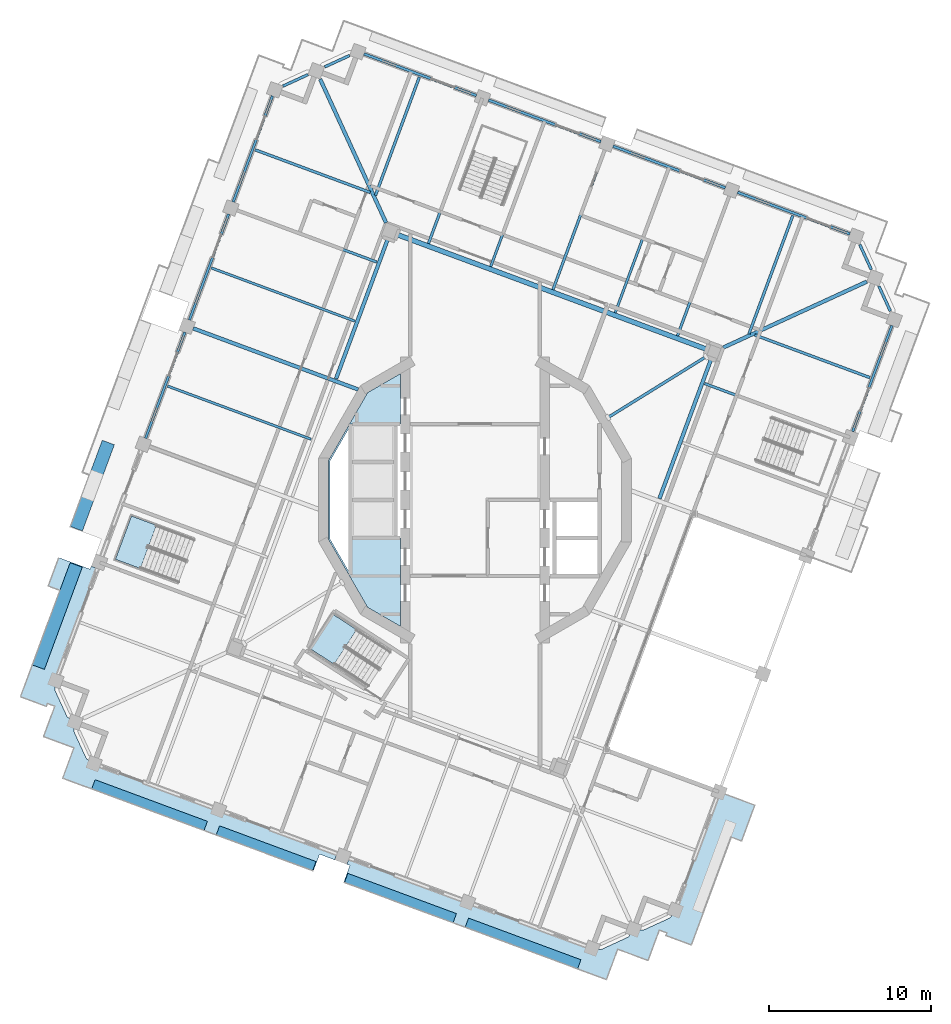
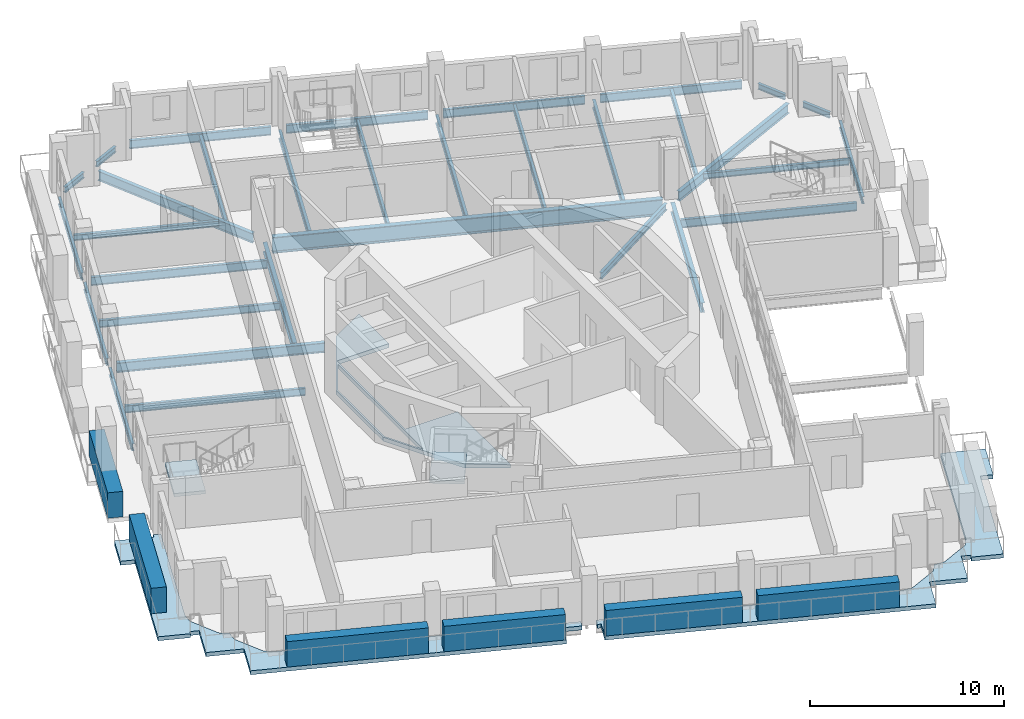
# One storey, part 3 of 19: 32 beams, 6 plates, 5 slabs, 2 elements without a shape of their own.
"""IFC4 building model written with IfcOpenShell, lengths in metres."""

from ifc_helpers import new_model, si_unit, direction, frame, origin, origin_2d, place, context, subcontext, project, spatial, polyline, rectangle, i_section, outline, extrude, material, layer, layer_set, material_profile, profile_set, type_object, element, aggregate, save


model = new_model("IFC4")

# Units and contexts
model_context = context("Model", 3, precision=1e-05, world=origin(), true_north=direction((0.0, 1.0)))
body_context = subcontext(model_context, "Body", "Model", "MODEL_VIEW")
ifc_project = project(units=[si_unit("LENGTHUNIT", "METRE"), si_unit("AREAUNIT", "SQUARE_METRE"), si_unit("VOLUMEUNIT", "CUBIC_METRE"), si_unit("PLANEANGLEUNIT", "RADIAN"), si_unit("MASSUNIT", "GRAM", prefix="KILO")], contexts=[model_context])

# Site, building, storey
site_placement = place(None, origin())
site = spatial("IfcSite", under=ifc_project, at=site_placement, CompositionType="ELEMENT")
building_placement = place(site_placement, origin())
building = spatial("IfcBuilding", under=site, at=building_placement, Name="Cantera Rosa Tower", CompositionType="ELEMENT")
storey_placement = place(building_placement, frame((0.0, 0.0, 342.10009765625)))
storey = spatial("IfcBuildingStorey", under=building, at=storey_placement, Name="L77", CompositionType="ELEMENT", Elevation=342.10009765625)

# Beams
ifc_material_1 = material(Name="Steel ASTM A992 (Fy 345 MPa)", Category="steel")
ifc_material_profile_1 = material_profile(ifc_material_1, i_section(OverallWidth=0.302001953125, OverallDepth=1.010009765625, WebThickness=0.02099609375, FlangeThickness=0.0400390625, FilletRadius=0.030029296875, at=origin_2d()), Name="W1000X350")
ifc_profile_set_1 = profile_set([ifc_material_profile_1], Name="Steel ASTM A992 (Fy 345 MPa)")
beam_type_1 = type_object("IfcBeamType", Name="STEEL BEAM W1000X350", PredefinedType="BEAM", material=ifc_profile_set_1)
beam_1_placement = place(storey_placement, frame((14.324951171875, 9.302001953125, -0.755126953125), z_axis=(-0.937687392162, 0.347480006017, 0.0), x_axis=(-0.347480006017, -0.937687392162, 0.0)))
element("IfcBeam", 1, at=beam_1_placement, inside=storey, type_object=beam_type_1, Name="RB-Z6-07 L77", PredefinedType="BEAM", context=body_context, shape_type="SweptSolid", body=[
    extrude(i_section(OverallWidth=0.302001953125, OverallDepth=1.010009765625, WebThickness=0.02099609375, FlangeThickness=0.0400390625, FilletRadius=0.030029296875, at=origin_2d()), origin(), (0.0, 0.0, 1.0), 20.400146484375),
])
ifc_material_2 = material(Name="Steel ASTM A992 (Fy 345 MPa)", Category="steel")
ifc_material_profile_2 = material_profile(ifc_material_2, i_section(OverallWidth=0.177978515625, OverallDepth=0.406005859375, WebThickness=0.0078125, FlangeThickness=0.0126953125, FilletRadius=0.01025390625, at=origin_2d()), Name="W410X60")
ifc_profile_set_2 = profile_set([ifc_material_profile_2], Name="Steel ASTM A992 (Fy 345 MPa)")
beam_type_2 = type_object("IfcBeamType", Name="STEEL BEAM W410X60", PredefinedType="BEAM", material=ifc_profile_set_2)
beam_2_placement = place(storey_placement, frame((14.262451171875, 8.84521484375, -0.453125), z_axis=(-0.849840939707, -0.527039255841, 0.0), x_axis=(0.527039255841, -0.849840939707, 0.0)))
element("IfcBeam", 2, at=beam_2_placement, inside=storey, type_object=beam_type_2, Name="PG-Z6-02 L77", PredefinedType="BEAM", context=body_context, shape_type="SweptSolid", body=[
    extrude(i_section(OverallWidth=0.177978515625, OverallDepth=0.406005859375, WebThickness=0.0078125, FlangeThickness=0.0126953125, FilletRadius=0.01025390625, at=origin_2d()), origin(), (0.0, 0.0, 1.0), 7.118408203125),
])
ifc_material_3 = material(Name="Steel ASTM A992 (Fy 345 MPa)", Category="steel")
ifc_material_profile_3 = material_profile(ifc_material_3, i_section(OverallWidth=0.166015625, OverallDepth=0.528076171875, WebThickness=0.009765625, FlangeThickness=0.013671875, FilletRadius=0.0126953125, at=origin_2d()), Name="W530X74")
ifc_profile_set_3 = profile_set([ifc_material_profile_3], Name="Steel ASTM A992 (Fy 345 MPa)")
beam_type_3 = type_object("IfcBeamType", Name="STEEL BEAM W530X74", PredefinedType="BEAM", material=ifc_profile_set_3)
for number, where, z_axis, x_axis, name in (
    (3, (15.698486328125, 18.764404296875, -0.51416015625), (-0.347476838353, -0.937688566, 0.0), (0.937688566, -0.347476838353, 0.0), "G-Z6-01 L77"),
    (4, (8.009521484375, 21.61376953125, -0.51416015625), (-0.34750017104, -0.937679919337, 0.0), (0.937679919337, -0.34750017104, 0.0), "G-Z6-02 L77"),
    (5, (0.3203125, 24.463134765625, -0.51416015625), (-0.347476838353, -0.937688566, 0.0), (0.937688566, -0.347476838353, 0.0), "G-Z6-03 L77"),
    (6, (-14.69873046875, 17.892333984375, -0.51416015625), (0.937688566, -0.347476838353, 0.0), (0.347476838353, 0.937688566, 0.0), "G-Z6-04 L77"),
    (7, (22.808837890625, 3.9931640625, -0.51416015625), (-0.937688566, 0.347476838353, 0.0), (-0.347476838353, -0.937688566, 0.0), "G-Z6-11 L77"),
):
    element("IfcBeam", number, at=place(storey_placement, frame(where, z_axis=z_axis, x_axis=x_axis)), inside=storey, type_object=beam_type_3, Name=name, PredefinedType="BEAM", context=body_context, shape_type="SweptSolid", body=[
        extrude(i_section(OverallWidth=0.166015625, OverallDepth=0.528076171875, WebThickness=0.009765625, FlangeThickness=0.013671875, FilletRadius=0.0126953125, at=origin_2d()), origin(), (0.0, 0.0, 1.0), 9.199951171875),
    ])
ifc_material_4 = material(Name="Steel ASTM A992 (Fy 345 MPa)", Category="steel")
ifc_material_profile_4 = material_profile(ifc_material_4, i_section(OverallWidth=0.22802734375, OverallDepth=0.60205078125, WebThickness=0.010498046875, FlangeThickness=0.014892578125, FilletRadius=0.0126953125, at=origin_2d()), Name="W610X101")
ifc_profile_set_4 = profile_set([ifc_material_profile_4], Name="Steel ASTM A992 (Fy 345 MPa)")
beam_type_4 = type_object("IfcBeamType", Name="STEEL BEAM W610X101", PredefinedType="BEAM", material=ifc_profile_set_4)
for number, where, z_axis, x_axis, name in (
    (8, (-9.56396484375, 25.992919921875, -0.551025390625), (0.417345508131, -0.908747889595, 0.0), (0.908747889595, 0.417345508131, 0.0), "CB-Z6-01 L77"),
    (9, (24.19287109375, 13.483642578125, -0.551025390625), (-0.908747889595, -0.417345508131, 0.0), (0.417345508131, -0.908747889595, 0.0), "CB-Z6-04 L77"),
):
    element("IfcBeam", number, at=place(storey_placement, frame(where, z_axis=z_axis, x_axis=x_axis)), inside=storey, type_object=beam_type_4, Name=name, PredefinedType="BEAM", context=body_context, shape_type="SweptSolid", body=[
        extrude(i_section(OverallWidth=0.22802734375, OverallDepth=0.60205078125, WebThickness=0.010498046875, FlangeThickness=0.014892578125, FilletRadius=0.0126953125, at=origin_2d()), origin(), (0.0, 0.0, 1.0), 9.758056640625),
    ])
for number, where, z_axis, x_axis, name in (
    (10, (-8.58251953125, 7.489013671875, -0.551025390625), (0.347474937304, 0.937689270465, 0.0), (-0.937689270465, 0.347474937304, 0.0), "RB-Z6-03 L77"),
    (11, (11.39013671875, 0.087646484375, -0.551025390625), (0.347498244979, 0.937680633125, 0.0), (-0.937680633125, 0.347498244979, 0.0), "RB-Z6-06 L77"),
):
    element("IfcBeam", number, at=place(storey_placement, frame(where, z_axis=z_axis, x_axis=x_axis)), inside=storey, type_object=beam_type_4, Name=name, PredefinedType="BEAM", context=body_context, shape_type="SweptSolid", body=[
        extrude(i_section(OverallWidth=0.22802734375, OverallDepth=0.60205078125, WebThickness=0.010498046875, FlangeThickness=0.014892578125, FilletRadius=0.0126953125, at=origin_2d()), origin(), (0.0, 0.0, 1.0), 9.2099609375),
    ])
ifc_material_5 = material(Name="Steel ASTM A992 (Fy 345 MPa)", Category="steel")
ifc_material_profile_5 = material_profile(ifc_material_5, i_section(OverallWidth=0.22900390625, OverallDepth=0.612060546875, WebThickness=0.011962890625, FlangeThickness=0.01953125, FilletRadius=0.0126953125, at=origin_2d()), Name="W610X125")
ifc_profile_set_5 = profile_set([ifc_material_profile_5], Name="Steel ASTM A992 (Fy 345 MPa)")
beam_type_5 = type_object("IfcBeamType", Name="STEEL BEAM W610X125", PredefinedType="BEAM", material=ifc_profile_set_5)
beam_3_placement = place(storey_placement, frame((-17.402099609375, 10.59716796875, -0.55615234375), z_axis=(0.937686127687, -0.347483418229, 0.0), x_axis=(0.347483418229, 0.937686127687, 0.0)))
element("IfcBeam", 12, at=beam_3_placement, inside=storey, type_object=beam_type_5, Name="G-Z6-05 L77", PredefinedType="BEAM", context=body_context, shape_type="SweptSolid", body=[
    extrude(i_section(OverallWidth=0.22900390625, OverallDepth=0.612060546875, WebThickness=0.011962890625, FlangeThickness=0.01953125, FilletRadius=0.0126953125, at=origin_2d()), origin(), (0.0, 0.0, 1.0), 10.8642578125),
])
ifc_material_6 = material(Name="Steel ASTM A992 (Fy 345 MPa)", Category="steel")
ifc_material_profile_6 = material_profile(ifc_material_6, i_section(OverallWidth=0.1708984375, OverallDepth=0.35595703125, WebThickness=0.00732421875, FlangeThickness=0.01171875, FilletRadius=0.010009765625, at=origin_2d()), Name="W360X51")
ifc_profile_set_6 = profile_set([ifc_material_profile_6], Name="Steel ASTM A992 (Fy 345 MPa)")
beam_type_6 = type_object("IfcBeamType", Name="STEEL JOIST W360X51", PredefinedType="JOIST", material=ifc_profile_set_6)
for number, where, z_axis, x_axis, name in (
    (13, (19.6298828125, 17.573974609375, -0.427978515625), (-0.347491728417, -0.937683048093, 0.0), (0.937683048093, -0.347491728417, 0.0), "B-Z6-01 L77"),
    (14, (-3.437255859375, 26.1220703125, -0.427978515625), (-0.347491728417, -0.937683048093, 0.0), (0.937683048093, -0.347491728417, 0.0), "B-Z6-04 L77"),
):
    element("IfcBeam", number, at=place(storey_placement, frame(where, z_axis=z_axis, x_axis=x_axis)), inside=storey, type_object=beam_type_6, Name=name, PredefinedType="JOIST", context=body_context, shape_type="SweptSolid", body=[
        extrude(i_section(OverallWidth=0.1708984375, OverallDepth=0.35595703125, WebThickness=0.00732421875, FlangeThickness=0.01171875, FilletRadius=0.010009765625, at=origin_2d()), origin(), (0.0, 0.0, 1.0), 7.800048828125),
    ])
beam_4_placement = place(storey_placement, frame((-13.581298828125, 21.626953125, -0.427978515625), z_axis=(0.93768239316, -0.347493495705, 0.0), x_axis=(0.347493495705, 0.93768239316, 0.0)))
element("IfcBeam", 15, at=beam_4_placement, inside=storey, type_object=beam_type_6, Name="B-Z6-05 L77", PredefinedType="JOIST", context=body_context, shape_type="SweptSolid", body=[
    extrude(i_section(OverallWidth=0.1708984375, OverallDepth=0.35595703125, WebThickness=0.00732421875, FlangeThickness=0.01171875, FilletRadius=0.010009765625, at=origin_2d()), origin(), (0.0, 0.0, 1.0), 7.58984375),
])
beam_5_placement = place(storey_placement, frame((24.39501953125, 7.553955078125, -0.427978515625), z_axis=(-0.937686277131, 0.347483014951, 0.0), x_axis=(-0.347483014951, -0.937686277131, 0.0)))
element("IfcBeam", 16, at=beam_5_placement, inside=storey, type_object=beam_type_6, Name="B-Z6-14 L77", PredefinedType="JOIST", context=body_context, shape_type="SweptSolid", body=[
    extrude(i_section(OverallWidth=0.1708984375, OverallDepth=0.35595703125, WebThickness=0.00732421875, FlangeThickness=0.01171875, FilletRadius=0.010009765625, at=origin_2d()), origin(), (0.0, 0.0, 1.0), 7.590087890625),
])
ifc_material_7 = material(Name="Steel ASTM A992 (Fy 345 MPa)", Category="steel")
ifc_material_profile_7 = material_profile(ifc_material_7, i_section(OverallWidth=0.154052734375, OverallDepth=0.4599609375, WebThickness=0.009033203125, FlangeThickness=0.015380859375, FilletRadius=0.01025390625, at=origin_2d()), Name="W460X68")
ifc_profile_set_7 = profile_set([ifc_material_profile_7], Name="Steel ASTM A992 (Fy 345 MPa)")
beam_type_7 = type_object("IfcBeamType", Name="STEEL JOIST W460X68", PredefinedType="JOIST", material=ifc_profile_set_7)
for number, where, z_axis, x_axis, name in (
    (17, (11.94091796875, 20.42333984375, -0.47998046875), (-0.347482637031, -0.937686417179, 0.0), (0.937686417179, -0.347482637031, 0.0), "B-Z6-02 L77"),
    (18, (4.251708984375, 23.272705078125, -0.47998046875), (-0.347482637031, -0.937686417179, 0.0), (0.937686417179, -0.347482637031, 0.0), "B-Z6-03 L77"),
    (19, (-16.28466796875, 14.331787109375, -0.47998046875), (0.937686417179, -0.347482637031, 0.0), (0.347482637031, 0.937686417179, 0.0), "B-Z6-06 L77"),
):
    element("IfcBeam", number, at=place(storey_placement, frame(where, z_axis=z_axis, x_axis=x_axis)), inside=storey, type_object=beam_type_7, Name=name, PredefinedType="JOIST", context=body_context, shape_type="SweptSolid", body=[
        extrude(i_section(OverallWidth=0.154052734375, OverallDepth=0.4599609375, WebThickness=0.009033203125, FlangeThickness=0.015380859375, FilletRadius=0.01025390625, at=origin_2d()), origin(), (0.0, 0.0, 1.0), 9.449951171875),
    ])
beam_6_placement = place(storey_placement, frame((-18.98828125, 7.036376953125, -0.47998046875), z_axis=(0.937689536508, -0.347474219364, 0.0), x_axis=(0.347474219364, 0.937689536508, 0.0)))
element("IfcBeam", 20, at=beam_6_placement, inside=storey, type_object=beam_type_7, Name="B-Z6-07 L77", PredefinedType="JOIST", context=body_context, shape_type="SweptSolid", body=[
    extrude(i_section(OverallWidth=0.154052734375, OverallDepth=0.4599609375, WebThickness=0.009033203125, FlangeThickness=0.015380859375, FilletRadius=0.01025390625, at=origin_2d()), origin(), (0.0, 0.0, 1.0), 9.4501953125),
])
ifc_material_8 = material(Name="Steel ASTM A992 (Fy 345 MPa)", Category="steel")
ifc_material_profile_8 = material_profile(ifc_material_8, i_section(OverallWidth=0.1708984375, OverallDepth=0.35595703125, WebThickness=0.00732421875, FlangeThickness=0.01171875, FilletRadius=0.010009765625, at=origin_2d()), Name="W360X51")
ifc_profile_set_8 = profile_set([ifc_material_profile_8], Name="Steel ASTM A992 (Fy 345 MPa)")
beam_type_8 = type_object("IfcBeamType", Name="STEEL SPANDREL BEAM W360X51", PredefinedType="SPANDREL", material=ifc_profile_set_8)
for number, where, z_axis, x_axis, name in (
    (21, (-7.74365234375, 27.451416015625, -0.427978515625), (-0.908753529973, -0.417333226286, 0.0), (0.417333226286, -0.908753529973, 0.0), "EB-Z6-05 L77"),
    (22, (-10.31396484375, 26.27099609375, -0.427978515625), (-0.908753529973, -0.417333226286, 0.0), (0.417333226286, -0.908753529973, 0.0), "EB-Z6-06 L77"),
):
    element("IfcBeam", number, at=place(storey_placement, frame(where, z_axis=z_axis, x_axis=x_axis)), inside=storey, type_object=beam_type_8, Name=name, PredefinedType="SPANDREL", context=body_context, shape_type="SweptSolid", body=[
        extrude(i_section(OverallWidth=0.1708984375, OverallDepth=0.35595703125, WebThickness=0.00732421875, FlangeThickness=0.01171875, FilletRadius=0.010009765625, at=origin_2d()), origin(), (0.0, 0.0, 1.0), 1.697021484375),
    ])
for number, where, z_axis, x_axis, name in (
    (23, (25.651123046875, 11.66357421875, -0.427978515625), (-0.417268968709, 0.908783036677, 0.0), (-0.908783036677, -0.417268968709, 0.0), "EB-Z6-25 L77"),
    (24, (24.470947265625, 14.23388671875, -0.427978515625), (-0.417387791404, 0.908728469669, 0.0), (-0.908728469669, -0.417387791404, 0.0), "EB-Z6-26 L77"),
):
    element("IfcBeam", number, at=place(storey_placement, frame(where, z_axis=z_axis, x_axis=x_axis)), inside=storey, type_object=beam_type_8, Name=name, PredefinedType="SPANDREL", context=body_context, shape_type="SweptSolid", body=[
        extrude(i_section(OverallWidth=0.1708984375, OverallDepth=0.35595703125, WebThickness=0.00732421875, FlangeThickness=0.01171875, FilletRadius=0.010009765625, at=origin_2d()), origin(), (0.0, 0.0, 1.0), 1.69677734375),
    ])
ifc_material_9 = material(Name="Steel ASTM A992 (Fy 345 MPa)", Category="steel")
ifc_material_profile_9 = material_profile(ifc_material_9, i_section(OverallWidth=0.154052734375, OverallDepth=0.4599609375, WebThickness=0.009033203125, FlangeThickness=0.015380859375, FilletRadius=0.01025390625, at=origin_2d()), Name="W460X68")
ifc_profile_set_9 = profile_set([ifc_material_profile_9], Name="Steel ASTM A992 (Fy 345 MPa)")
beam_type_9 = type_object("IfcBeamType", Name="STEEL SPANDREL BEAM W460X68", PredefinedType="SPANDREL", material=ifc_profile_set_9)
beam_7_placement = place(storey_placement, frame((-12.50927734375, 24.95166015625, -0.47998046875), z_axis=(-0.347490919506, -0.937683347864, 0.0), x_axis=(0.937683347864, -0.347490919506, 0.0)))
element("IfcBeam", 25, at=beam_7_placement, inside=storey, type_object=beam_type_9, Name="EB-Z6-07 L77", PredefinedType="SPANDREL", context=body_context, shape_type="SweptSolid", body=[
    extrude(i_section(OverallWidth=0.154052734375, OverallDepth=0.4599609375, WebThickness=0.009033203125, FlangeThickness=0.015380859375, FilletRadius=0.01025390625, at=origin_2d()), origin(), (0.0, 0.0, 1.0), 6.980224609375),
])
for number, where, z_axis, x_axis, name in (
    (26, (-15.212646484375, 17.65625, -0.47998046875), (-0.347502316452, -0.937679124253, 0.0), (0.937679124253, -0.347502316452, 0.0), "EB-Z6-08 L77"),
    (27, (-17.916015625, 10.361083984375, -0.47998046875), (-0.347502316452, -0.937679124253, 0.0), (0.937679124253, -0.347502316452, 0.0), "EB-Z6-09 L77"),
    (28, (23.322998046875, 4.229248046875, -0.47998046875), (0.347460165909, 0.937694744097, 0.0), (-0.937694744097, 0.347460165909, 0.0), "EB-Z6-24 L77"),
):
    element("IfcBeam", number, at=place(storey_placement, frame(where, z_axis=z_axis, x_axis=x_axis)), inside=storey, type_object=beam_type_9, Name=name, PredefinedType="SPANDREL", context=body_context, shape_type="SweptSolid", body=[
        extrude(i_section(OverallWidth=0.154052734375, OverallDepth=0.4599609375, WebThickness=0.009033203125, FlangeThickness=0.015380859375, FilletRadius=0.01025390625, at=origin_2d()), origin(), (0.0, 0.0, 1.0), 6.97998046875),
    ])
ifc_material_10 = material(Name="Steel ASTM A992 (Fy 345 MPa)", Category="steel")
ifc_material_profile_10 = material_profile(ifc_material_10, i_section(OverallWidth=0.166015625, OverallDepth=0.528076171875, WebThickness=0.009765625, FlangeThickness=0.013671875, FilletRadius=0.0126953125, at=origin_2d()), Name="W530X74")
ifc_profile_set_10 = profile_set([ifc_material_profile_10], Name="Steel ASTM A992 (Fy 345 MPa)")
beam_type_10 = type_object("IfcBeamType", Name="STEEL SPANDREL BEAM W530X74", PredefinedType="SPANDREL", material=ifc_profile_set_10)
beam_8_placement = place(storey_placement, frame((23.1513671875, 16.428955078125, -0.51416015625), z_axis=(-0.937676706507, 0.347508840281, 0.0), x_axis=(-0.347508840281, -0.937676706507, 0.0)))
element("IfcBeam", 29, at=beam_8_placement, inside=storey, type_object=beam_type_10, Name="EB-Z6-01 L77", PredefinedType="SPANDREL", context=body_context, shape_type="SweptSolid", body=[
    extrude(i_section(OverallWidth=0.166015625, OverallDepth=0.528076171875, WebThickness=0.009765625, FlangeThickness=0.013671875, FilletRadius=0.0126953125, at=origin_2d()), origin(), (0.0, 0.0, 1.0), 7.39990234375),
])
for number, where, z_axis, x_axis, name in (
    (30, (15.46240234375, 19.2783203125, -0.51416015625), (-0.937680690562, 0.34749808999, 0.0), (-0.34749808999, -0.937680690562, 0.0), "EB-Z6-02 L77"),
    (31, (7.7734375, 22.127685546875, -0.51416015625), (-0.937680690562, 0.34749808999, 0.0), (-0.34749808999, -0.937680690562, 0.0), "EB-Z6-03 L77"),
):
    element("IfcBeam", number, at=place(storey_placement, frame(where, z_axis=z_axis, x_axis=x_axis)), inside=storey, type_object=beam_type_10, Name=name, PredefinedType="SPANDREL", context=body_context, shape_type="SweptSolid", body=[
        extrude(i_section(OverallWidth=0.166015625, OverallDepth=0.528076171875, WebThickness=0.009765625, FlangeThickness=0.013671875, FilletRadius=0.0126953125, at=origin_2d()), origin(), (0.0, 0.0, 1.0), 7.400146484375),
    ])
beam_9_placement = place(storey_placement, frame((0.084228515625, 24.97705078125, -0.51416015625), z_axis=(-0.937687456783, 0.347479831633, 0.0), x_axis=(-0.347479831633, -0.937687456783, 0.0)))
element("IfcBeam", 32, at=beam_9_placement, inside=storey, type_object=beam_type_10, Name="EB-Z6-04 L77", PredefinedType="SPANDREL", context=body_context, shape_type="SweptSolid", body=[
    extrude(i_section(OverallWidth=0.166015625, OverallDepth=0.528076171875, WebThickness=0.009765625, FlangeThickness=0.013671875, FilletRadius=0.0126953125, at=origin_2d()), origin(), (0.0, 0.0, 1.0), 7.39990234375),
])

# Slabs
ifc_material_11 = material(Name="Concrete C35/45", Category="concrete")
ifc_layer_1 = layer(ifc_material_11, 0.25)
ifc_layer_set_1 = layer_set([ifc_layer_1], Name="COMPOSITE FLOOR SLAB 250 C35/45")
slab_type_1 = type_object("IfcSlabType", Name="COMPOSITE FLOOR SLAB 250 C35/45", PredefinedType="FLOOR", material=ifc_layer_set_1)
slab_1_placement = place(storey_placement, frame((0.0, 0.0, -0.25)))
element("IfcSlab", 33, at=slab_1_placement, inside=storey, type_object=slab_type_1, Name="SLAB L77 floor 1", PredefinedType="FLOOR", context=body_context, shape_type="SweptSolid", body=[
    extrude(outline(polyline([(-7.699951171875, -2.35009765625), (-4.60009765625, -2.35009765625), (-4.60009765625, -7.804931640625), (-6.6318359375, -6.6318359375), (-9.059326171875, -2.427490234375), (-9.059326171875, 2.427490234375), (-6.6318359375, 6.6318359375), (-4.60009765625, 7.804931640625), (-4.60009765625, 4.699951171875), (-7.699951171875, 4.699951171875), (-7.699951171875, 2.35009765625), (-7.699951171875, 0.0), (-7.699951171875, -2.35009765625)]), holes=[polyline([(-8.959228515625, 2.400634765625), (-8.959228515625, -2.400634765625), (-7.800048828125, -4.408447265625), (-7.800048828125, -2.449951171875), (-7.800048828125, -2.25), (-7.800048828125, 2.25), (-7.800048828125, 2.449951171875), (-7.800048828125, 4.408447265625), (-8.959228515625, 2.400634765625)])]), origin(), (0.0, 0.0, 1.0), 0.25),
])
ifc_material_12 = material(Name="Concrete C35/45", Category="concrete")
ifc_layer_2 = layer(ifc_material_12, 0.25)
ifc_layer_set_2 = layer_set([ifc_layer_2], Name="LOGGIA SLAB 250 C35/45")
slab_type_2 = type_object("IfcSlabType", Name="LOGGIA SLAB 250 C35/45", PredefinedType="FLOOR", material=ifc_layer_set_2)
slab_2_placement = place(storey_placement, frame((0.0, 0.0, -0.25)))
element("IfcSlab", 34, at=slab_2_placement, inside=storey, type_object=slab_type_2, Name="LOGGIA SLAB L77 1", PredefinedType="FLOOR", context=body_context, shape_type="SweptSolid", body=[
    extrude(outline(polyline([(-17.76513671875, -20.024658203125), (-24.047607421875, -17.696533203125), (-24.050537109375, -17.7041015625), (-25.46435546875, -17.179931640625), (-24.76953125, -15.3046875), (-25.23095703125, -15.1337890625), (-26.644775390625, -14.609619140625), (-26.120849609375, -13.19580078125), (-25.949951171875, -12.734375), (-26.411376953125, -12.563232421875), (-26.47802734375, -12.743408203125), (-28.072021484375, -12.152587890625), (-25.6357421875, -5.578369140625), (-26.356689453125, -5.311279296875), (-25.707275390625, -3.558837890625), (-23.767578125, -4.27783203125), (-23.697998046875, -4.09033203125), (-23.322998046875, -4.229248046875), (-25.88720703125, -11.1494140625), (-25.947509765625, -11.6162109375), (-25.95068359375, -11.6455078125), (-25.950927734375, -11.6748046875), (-25.948486328125, -11.7041015625), (-25.943115234375, -11.733154296875), (-25.934814453125, -11.76123046875), (-25.923828125, -11.788818359375), (-25.215576171875, -13.330810546875), (-25.201904296875, -13.35693359375), (-25.18603515625, -13.381591796875), (-25.16748046875, -13.404541015625), (-25.14697265625, -13.42578125), (-25.12451171875, -13.444580078125), (-25.10009765625, -13.461181640625), (-24.706787109375, -13.7197265625), (-24.76708984375, -14.186279296875), (-24.770263671875, -14.2158203125), (-24.7705078125, -14.2451171875), (-24.76806640625, -14.2744140625), (-24.7626953125, -14.303466796875), (-24.75439453125, -14.331787109375), (-24.743408203125, -14.35888671875), (-24.03515625, -15.901123046875), (-24.021484375, -15.92724609375), (-24.005615234375, -15.951904296875), (-23.987060546875, -15.974853515625), (-23.966552734375, -15.99609375), (-23.944091796875, -16.014892578125), (-23.919677734375, -16.031494140625), (-23.526611328125, -16.2900390625), (-8.5234375, -21.849853515625), (-8.66259765625, -22.224853515625), (-9.60009765625, -21.87744140625), (-9.982421875, -22.90869140625), (-10.076171875, -22.8740234375), (-14.9521484375, -21.067138671875), (-17.76513671875, -20.024658203125)])), origin(), (0.0, 0.0, 1.0), 0.25),
])
slab_3_placement = place(storey_placement, frame((0.0, 0.0, -0.25)))
element("IfcSlab", 35, at=slab_3_placement, inside=storey, type_object=slab_type_2, Name="LOGGIA SLAB L77 3", PredefinedType="FLOOR", context=body_context, shape_type="SweptSolid", body=[
    extrude(outline(polyline([(11.787841796875, -26.898193359375), (11.84912109375, -26.733154296875), (11.380126953125, -26.559326171875), (11.20654296875, -27.0283203125), (10.685302734375, -28.434814453125), (9.27880859375, -27.91357421875), (8.809814453125, -27.73974609375), (8.63623046875, -28.208740234375), (8.114990234375, -29.615234375), (6.70849609375, -29.093994140625), (0.42578125, -26.765869140625), (-2.38720703125, -25.723388671875), (-7.26318359375, -23.91650390625), (-8.10693359375, -23.603759765625), (-7.724853515625, -22.572265625), (-7.912353515625, -22.502685546875), (-7.7734375, -22.127685546875), (6.25048828125, -27.32470703125), (7.2294921875, -27.6875), (7.6962890625, -27.74755859375), (7.7255859375, -27.750732421875), (7.7548828125, -27.751220703125), (7.784423828125, -27.74853515625), (7.813232421875, -27.7431640625), (7.841552734375, -27.735107421875), (7.868896484375, -27.72412109375), (9.4111328125, -27.015625), (9.437255859375, -27.002197265625), (9.4619140625, -26.986083984375), (9.48486328125, -26.9677734375), (9.505859375, -26.947021484375), (9.52490234375, -26.924560546875), (9.54150390625, -26.900146484375), (9.800048828125, -26.507080078125), (10.2666015625, -26.567138671875), (10.2958984375, -26.5703125), (10.325439453125, -26.57080078125), (10.354736328125, -26.568115234375), (10.383544921875, -26.562744140625), (10.411865234375, -26.554443359375), (10.439208984375, -26.543701171875), (11.9814453125, -25.835205078125), (12.007568359375, -25.82177734375), (12.0322265625, -25.8056640625), (12.05517578125, -25.787353515625), (12.076171875, -25.7666015625), (12.09521484375, -25.744140625), (12.11181640625, -25.7197265625), (12.370361328125, -25.32666015625), (12.733154296875, -24.347412109375), (15.07373046875, -18.031494140625), (17.27880859375, -18.848388671875), (16.461669921875, -21.053466796875), (15.828369140625, -20.81884765625), (13.359619140625, -27.480712890625), (11.787841796875, -26.898193359375)])), origin(), (0.0, 0.0, 1.0), 0.25),
])

# Plates
ifc_material_13 = material(Name="Cantera stone planter with soil", Category="masonry")
plate_type_1 = type_object("IfcPlateType", Name="PLANTER 600", PredefinedType="USERDEFINED", material=ifc_material_13)
plate_1_placement = place(storey_placement, frame((-20.098876953125, -18.83984375, -0.000244140625), z_axis=(0.0, 0.0, 1.0), x_axis=(0.937686936924, -0.347481234489, 0.0)))
element("IfcPlate", 36, at=plate_1_placement, inside=storey, type_object=plate_type_1, Name="PLANTER L77-10", ObjectType="PLANTER", PredefinedType="USERDEFINED", context=body_context, shape_type="SweptSolid", body=[
    extrude(rectangle(XDim=7.39990234375, YDim=0.60009765625, at=origin_2d()), origin(), (0.0, 0.0, 1.0), 1.60009765625),
])
plate_2_placement = place(storey_placement, frame((-12.902099609375, -21.5068359375, -0.000244140625), z_axis=(0.0, 0.0, 1.0), x_axis=(0.937686936924, -0.347481234489, 0.0)))
element("IfcPlate", 37, at=plate_2_placement, inside=storey, type_object=plate_type_1, Name="PLANTER L77-11", ObjectType="PLANTER", PredefinedType="USERDEFINED", context=body_context, shape_type="SweptSolid", body=[
    extrude(rectangle(XDim=6.35009765625, YDim=0.60009765625, at=origin_2d()), origin(), (0.0, 0.0, 1.0), 1.60009765625),
])
plate_3_placement = place(storey_placement, frame((-4.603759765625, -24.58203125, -0.000244140625), z_axis=(0.0, 0.0, 1.0), x_axis=(0.937686936924, -0.347481234489, 0.0)))
element("IfcPlate", 38, at=plate_3_placement, inside=storey, type_object=plate_type_1, Name="PLANTER L77-12", ObjectType="PLANTER", PredefinedType="USERDEFINED", context=body_context, shape_type="SweptSolid", body=[
    extrude(rectangle(XDim=7.14990234375, YDim=0.60009765625, at=origin_2d()), origin(), (0.0, 0.0, 1.0), 1.60009765625),
])
plate_4_placement = place(storey_placement, frame((2.968017578125, -27.387939453125, -0.000244140625), z_axis=(0.0, 0.0, 1.0), x_axis=(0.937686936924, -0.347481234489, 0.0)))
element("IfcPlate", 39, at=plate_4_placement, inside=storey, type_object=plate_type_1, Name="PLANTER L77-13", ObjectType="PLANTER", PredefinedType="USERDEFINED", context=body_context, shape_type="SweptSolid", body=[
    extrude(rectangle(XDim=7.39990234375, YDim=0.60009765625, at=origin_2d()), origin(), (0.0, 0.0, 1.0), 1.60009765625),
])
ifc_material_14 = material(Name="Cantera stone planter with soil", Category="masonry")
plate_type_2 = type_object("IfcPlateType", Name="PLANTER 800", PredefinedType="USERDEFINED", material=ifc_material_14)
plate_5_placement = place(storey_placement, frame((-23.633056640625, 0.887451171875, -0.000244140625), z_axis=(0.0, 0.0, 1.0), x_axis=(-0.347481234489, -0.937686936924, 0.0)))
element("IfcPlate", 40, at=plate_5_placement, inside=storey, type_object=plate_type_2, Name="PLANTER L77-08", ObjectType="PLANTER", PredefinedType="USERDEFINED", context=body_context, shape_type="SweptSolid", body=[
    extrude(rectangle(XDim=5.679931640625, YDim=0.800048828125, at=origin_2d()), origin(), (0.0, 0.0, 1.0), 1.60009765625),
])
plate_6_placement = place(storey_placement, frame((-25.798095703125, -7.167236328125, -0.000244140625), z_axis=(0.0, 0.0, 1.0), x_axis=(-0.347481234489, -0.937686936924, 0.0)))
element("IfcPlate", 41, at=plate_6_placement, inside=storey, type_object=plate_type_2, Name="PLANTER L77-09", ObjectType="PLANTER", PredefinedType="USERDEFINED", context=body_context, shape_type="SweptSolid", body=[
    extrude(rectangle(XDim=6.72998046875, YDim=0.800048828125, at=origin_2d()), origin(), (0.0, 0.0, 1.0), 1.60009765625),
])

# Stair, slab
ifc_material_15 = material(Name="Concrete C35/45", Category="concrete")
stair_type_1 = type_object("IfcStairType", Name="EXIT STAIR 1350 DOGLEG", PredefinedType="HALF_TURN_STAIR", material=ifc_material_15)
stair_1_placement = place(storey_placement, origin())
stair_1 = element("IfcStair", 42, at=stair_1_placement, inside=storey, type_object=stair_type_1, Name="L77 ST-63", PredefinedType="HALF_TURN_STAIR")
ifc_material_16 = material(Name="Concrete C35/45", Category="concrete")
ifc_layer_3 = layer(ifc_material_16, 0.199951171875)
ifc_layer_set_3 = layer_set([ifc_layer_3], Name="STAIR LANDING 200")
slab_type_3 = type_object("IfcSlabType", Name="STAIR LANDING 200", PredefinedType="LANDING", material=ifc_layer_set_3)
slab_4_placement = place(storey_placement, frame((0.0, 0.0, 1.599853515625)))
slab_4 = element("IfcSlab", 43, at=slab_4_placement, type_object=slab_type_3, Name="ST-63 landing 1", PredefinedType="LANDING", context=body_context, shape_type="SweptSolid", body=[
    extrude(outline(polyline([(-19.67626953125, -1.56005859375), (-21.2158203125, -0.989501953125), (-22.206298828125, -3.661865234375), (-20.66650390625, -4.232421875), (-19.67626953125, -1.56005859375)])), origin(), (0.0, 0.0, 1.0), 0.199951171875),
])
aggregate(stair_1, [slab_4])

ifc_material_17 = material(Name="Concrete C35/45", Category="concrete")
stair_type_2 = type_object("IfcStairType", Name="EXIT STAIR 1200 DOGLEG", PredefinedType="HALF_TURN_STAIR", material=ifc_material_17)
stair_2_placement = place(storey_placement, origin())
stair_2 = element("IfcStair", 44, at=stair_2_placement, inside=storey, type_object=stair_type_2, Name="L77 ST-64", PredefinedType="HALF_TURN_STAIR")
slab_5_placement = place(storey_placement, frame((0.0, 0.0, 1.599853515625)))
slab_5 = element("IfcSlab", 45, at=slab_5_placement, type_object=slab_type_3, Name="ST-64 landing 1", PredefinedType="LANDING", context=body_context, shape_type="SweptSolid", body=[
    extrude(outline(polyline([(-7.30908203125, -8.009033203125), (-8.81201171875, -7.032958984375), (-10.20068359375, -9.171630859375), (-8.69775390625, -10.1474609375), (-7.30908203125, -8.009033203125)])), origin(), (0.0, 0.0, 1.0), 0.199951171875),
])
aggregate(stair_2, [slab_5])

save(model, "model.ifc")
